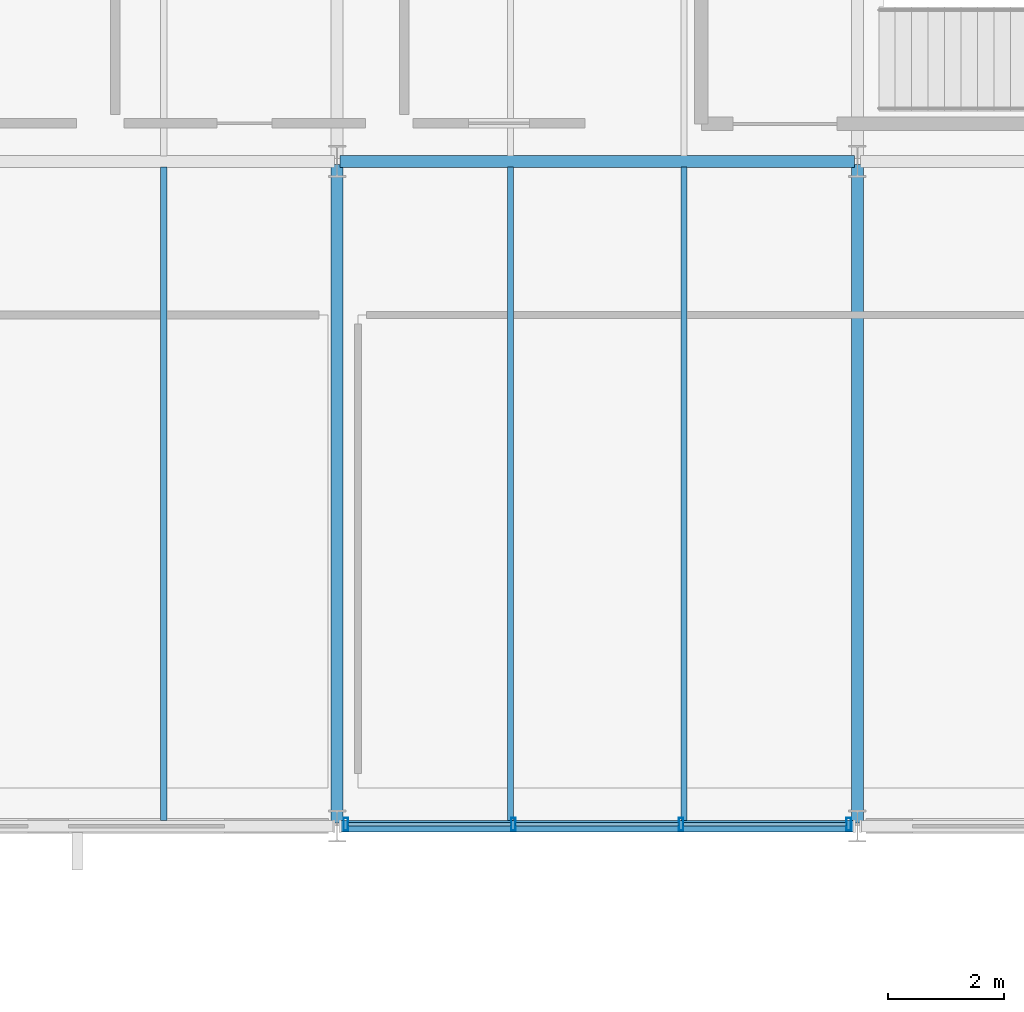
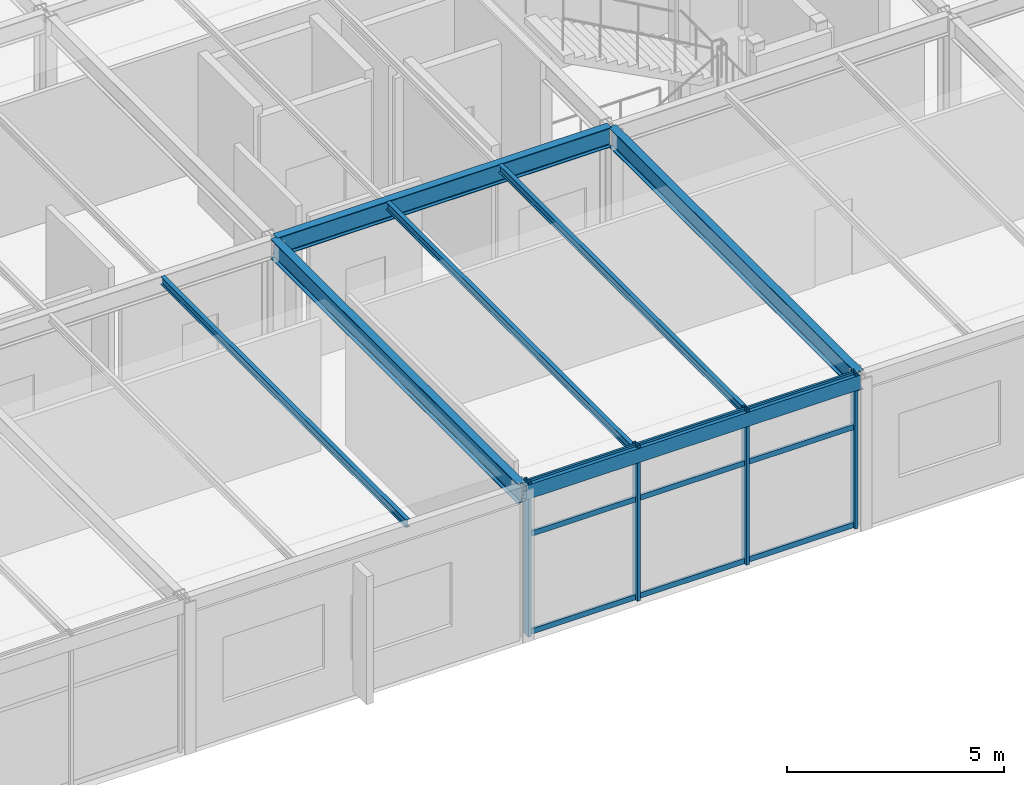
# One storey, part 10 of 44: 13 members, 7 beams, 1 element without a shape of its own.
"""IFC4 building model written with IfcOpenShell, lengths in metres."""

from ifc_helpers import new_model, si_unit, direction, frame, origin, origin_2d, place, context, subcontext, project, spatial, hollow_rectangle, i_section, extrude, material, layer, layer_set, material_profile, profile_set, type_object, element, aggregate, save


model = new_model("IFC4")

# Units and contexts
model_context = context("Model", 3, precision=1e-05, world=origin(), true_north=direction((0.0, 1.0)))
body_context = subcontext(model_context, "Body", "Model", "MODEL_VIEW")
ifc_project = project(units=[si_unit("LENGTHUNIT", "METRE"), si_unit("AREAUNIT", "SQUARE_METRE"), si_unit("VOLUMEUNIT", "CUBIC_METRE"), si_unit("PLANEANGLEUNIT", "RADIAN"), si_unit("MASSUNIT", "GRAM", prefix="KILO")], contexts=[model_context])

# Site, building, storey
site_placement = place(None, origin())
site = spatial("IfcSite", under=ifc_project, at=site_placement, CompositionType="ELEMENT")
building_placement = place(site_placement, origin())
building = spatial("IfcBuilding", under=site, at=building_placement, Name="Marlcrest Central Station", CompositionType="ELEMENT")
storey_placement = place(building_placement, frame((0.0, 0.0, 19.5)))
storey = spatial("IfcBuildingStorey", under=building, at=storey_placement, Name="L04", CompositionType="ELEMENT", Elevation=19.5)

# Beams
ifc_material_1 = material(Name="Steel S355", Category="steel")
ifc_material_profile_1 = material_profile(ifc_material_1, i_section(OverallWidth=0.2099609375, OverallDepth=0.550048828125, WebThickness=0.010986328125, FlangeThickness=0.01708984375, FilletRadius=0.02392578125, at=origin_2d()), Name="IPE 550")
ifc_profile_set_1 = profile_set([ifc_material_profile_1], Name="Steel S355")
beam_type_1 = type_object("IfcBeamType", Name="BM-06", PredefinedType="BEAM", material=ifc_profile_set_1)
beam_1_placement = place(storey_placement, frame((36.050048828125, 110.5, 4.0), z_axis=(1.0, 0.0, 0.0), x_axis=(0.0, 1.0, 0.0)))
element("IfcBeam", 1, at=beam_1_placement, inside=storey, type_object=beam_type_1, Name="bm-BM-06-L04-00586", PredefinedType="BEAM", context=body_context, shape_type="SweptSolid", body=[
    extrude(i_section(OverallWidth=0.2099609375, OverallDepth=0.550048828125, WebThickness=0.010986328125, FlangeThickness=0.01708984375, FilletRadius=0.02392578125, at=origin_2d()), origin(), (0.0, 0.0, 1.0), 8.89990234375),
])
for number, where, z_axis, x_axis, name in (
    (2, (36.0, 99.050048828125, 4.0), (0.0, 1.0, 0.0), (-1.0, 0.0, 0.0), "bm-BM-06-L04-00615"),
    (3, (45.0, 99.050048828125, 4.0), (0.0, 1.0, 0.0), (-1.0, 0.0, 0.0), "bm-BM-06-L04-00618"),
):
    element("IfcBeam", number, at=place(storey_placement, frame(where, z_axis=z_axis, x_axis=x_axis)), inside=storey, type_object=beam_type_1, Name=name, PredefinedType="BEAM", context=body_context, shape_type="SweptSolid", body=[
        extrude(i_section(OverallWidth=0.2099609375, OverallDepth=0.550048828125, WebThickness=0.010986328125, FlangeThickness=0.01708984375, FilletRadius=0.02392578125, at=origin_2d()), origin(), (0.0, 0.0, 1.0), 11.39990234375),
    ])
ifc_material_profile_2 = material_profile(ifc_material_1, i_section(OverallWidth=0.110107421875, OverallDepth=0.219970703125, WebThickness=0.005859375, FlangeThickness=0.00927734375, FilletRadius=0.011962890625, at=origin_2d()), Name="IPE 220")
ifc_profile_set_2 = profile_set([ifc_material_profile_2], Name="Steel S355")
beam_type_2 = type_object("IfcBeamType", Name="JS-02", PredefinedType="JOIST", material=ifc_profile_set_2)
for number, where, z_axis, x_axis, name in (
    (4, (33.0, 99.094970703125, 4.1650390625), (0.0, 1.0, 0.0), (-1.0, 0.0, 0.0), "bm-JS-02-L04-00648"),
    (5, (39.0, 99.094970703125, 4.1650390625), (0.0, 1.0, 0.0), (-1.0, 0.0, 0.0), "bm-JS-02-L04-00651"),
    (6, (42.0, 99.094970703125, 4.1650390625), (0.0, 1.0, 0.0), (-1.0, 0.0, 0.0), "bm-JS-02-L04-00654"),
):
    element("IfcBeam", number, at=place(storey_placement, frame(where, z_axis=z_axis, x_axis=x_axis)), inside=storey, type_object=beam_type_2, Name=name, PredefinedType="JOIST", context=body_context, shape_type="SweptSolid", body=[
        extrude(i_section(OverallWidth=0.110107421875, OverallDepth=0.219970703125, WebThickness=0.005859375, FlangeThickness=0.00927734375, FilletRadius=0.011962890625, at=origin_2d()), origin(), (0.0, 0.0, 1.0), 11.31005859375),
    ])

# Curtain wall, members
ifc_material_2 = material(Name="Anodised aluminium and hurricane laminated glass", Category="aluminium")
ifc_layer = layer(ifc_material_2, 0.219970703125, Name="CW-U1")
ifc_layer_set = layer_set([ifc_layer], Name="Anodised aluminium and hurricane laminated glass")
curtain_wall_type = type_object("IfcCurtainWallType", Name="CW-U1", PredefinedType="USERDEFINED", material=ifc_layer_set)
curtain_wall_placement = place(storey_placement, origin())
curtain_wall = element("IfcCurtainWall", 7, at=curtain_wall_placement, inside=storey, type_object=curtain_wall_type, Name="cw-L04-0169", ObjectType="UNITISED_CURTAIN_WALL", PredefinedType="USERDEFINED")
ifc_material_3 = material(Name="Anodised aluminium 6063-T6", Category="aluminium")
ifc_material_profile_3 = material_profile(ifc_material_3, hollow_rectangle(XDim=0.080078125, YDim=0.219970703125, WallThickness=0.006103515625, at=origin_2d()), Name="AA-RHS 220x80x6")
ifc_profile_set_3 = profile_set([ifc_material_profile_3], Name="Anodised aluminium 6063-T6")
member_type_1 = type_object("IfcMemberType", Name="ML-01", PredefinedType="MULLION", material=ifc_profile_set_3)
member_1_placement = place(storey_placement, frame((44.85009765625, 99.030029296875, -0.030029296875), z_axis=(0.0, 0.0, 1.0), x_axis=(1.0, 0.0, 0.0)))
member_1 = element("IfcMember", 8, at=member_1_placement, type_object=member_type_1, Name="cw-L04-0169-ml-0", PredefinedType="MULLION", context=body_context, shape_type="SweptSolid", body=[
    extrude(hollow_rectangle(XDim=0.080078125, YDim=0.219970703125, WallThickness=0.006103515625, at=origin_2d()), origin(), (0.0, 0.0, 1.0), 4.360107421875),
])
member_2_placement = place(storey_placement, frame((41.949951171875, 99.030029296875, -0.030029296875), z_axis=(0.0, 0.0, 1.0), x_axis=(1.0, 0.0, 0.0)))
member_2 = element("IfcMember", 9, at=member_2_placement, type_object=member_type_1, Name="cw-L04-0169-ml-1", PredefinedType="MULLION", context=body_context, shape_type="SweptSolid", body=[
    extrude(hollow_rectangle(XDim=0.080078125, YDim=0.219970703125, WallThickness=0.006103515625, at=origin_2d()), origin(), (0.0, 0.0, 1.0), 4.360107421875),
])
member_3_placement = place(storey_placement, frame((39.050048828125, 99.030029296875, -0.030029296875), z_axis=(0.0, 0.0, 1.0), x_axis=(1.0, 0.0, 0.0)))
member_3 = element("IfcMember", 10, at=member_3_placement, type_object=member_type_1, Name="cw-L04-0169-ml-2", PredefinedType="MULLION", context=body_context, shape_type="SweptSolid", body=[
    extrude(hollow_rectangle(XDim=0.080078125, YDim=0.219970703125, WallThickness=0.006103515625, at=origin_2d()), origin(), (0.0, 0.0, 1.0), 4.360107421875),
])
member_4_placement = place(storey_placement, frame((36.14990234375, 99.030029296875, -0.030029296875), z_axis=(0.0, 0.0, 1.0), x_axis=(1.0, 0.0, 0.0)))
member_4 = element("IfcMember", 11, at=member_4_placement, type_object=member_type_1, Name="cw-L04-0169-ml-3", PredefinedType="MULLION", context=body_context, shape_type="SweptSolid", body=[
    extrude(hollow_rectangle(XDim=0.080078125, YDim=0.219970703125, WallThickness=0.006103515625, at=origin_2d()), origin(), (0.0, 0.0, 1.0), 4.360107421875),
])

# Beam
ifc_material_profile_4 = material_profile(ifc_material_1, hollow_rectangle(XDim=0.199951171875, YDim=0.39990234375, WallThickness=0.01611328125, at=origin_2d()), Name="RHS 400x200x16")
ifc_profile_set_4 = profile_set([ifc_material_profile_4], Name="Steel S355")
beam_type_3 = type_object("IfcBeamType", Name="SP-01", PredefinedType="SPANDREL", material=ifc_profile_set_4)
beam_2_placement = place(storey_placement, frame((36.050048828125, 99.0, 4.074951171875), z_axis=(1.0, 0.0, 0.0), x_axis=(0.0, 1.0, 0.0)))
element("IfcBeam", 12, at=beam_2_placement, inside=storey, type_object=beam_type_3, Name="bm-SP-01-L04-00579", PredefinedType="SPANDREL", context=body_context, shape_type="SweptSolid", body=[
    extrude(hollow_rectangle(XDim=0.199951171875, YDim=0.39990234375, WallThickness=0.01611328125, at=origin_2d()), origin(), (0.0, 0.0, 1.0), 8.89990234375),
])

# Member
ifc_material_profile_5 = material_profile(ifc_material_3, hollow_rectangle(XDim=0.06005859375, YDim=0.14990234375, WallThickness=0.00390625, at=origin_2d()), Name="AA-RHS 150x60x4")
ifc_profile_set_5 = profile_set([ifc_material_profile_5], Name="Anodised aluminium 6063-T6")
member_type_2 = type_object("IfcMemberType", Name="TR-01", PredefinedType="USERDEFINED", material=ifc_profile_set_5)
member_5_placement = place(storey_placement, frame((44.81201171875, 99.030029296875, 0.0400390625), z_axis=(-1.0, 0.0, 0.0), x_axis=(0.0, -1.0, 0.0)))
member_5 = element("IfcMember", 13, at=member_5_placement, type_object=member_type_2, Name="cw-L04-0169-tr-0-sill", ObjectType="TRANSOM", PredefinedType="USERDEFINED", context=body_context, shape_type="SweptSolid", body=[
    extrude(hollow_rectangle(XDim=0.06005859375, YDim=0.14990234375, WallThickness=0.00390625, at=origin_2d()), origin(), (0.0, 0.0, 1.0), 2.823974609375),
])

member_6_placement = place(storey_placement, frame((44.81201171875, 99.030029296875, 2.794921875), z_axis=(-1.0, 0.0, 0.0), x_axis=(0.0, -1.0, 0.0)))
member_6 = element("IfcMember", 14, at=member_6_placement, type_object=member_type_2, Name="cw-L04-0169-tr-0-mid", ObjectType="TRANSOM", PredefinedType="USERDEFINED", context=body_context, shape_type="SweptSolid", body=[
    extrude(hollow_rectangle(XDim=0.06005859375, YDim=0.14990234375, WallThickness=0.00390625, at=origin_2d()), origin(), (0.0, 0.0, 1.0), 2.823974609375),
])

member_7_placement = place(storey_placement, frame((44.81201171875, 99.030029296875, 4.260009765625), z_axis=(-1.0, 0.0, 0.0), x_axis=(0.0, -1.0, 0.0)))
member_7 = element("IfcMember", 15, at=member_7_placement, type_object=member_type_2, Name="cw-L04-0169-tr-0-head", ObjectType="TRANSOM", PredefinedType="USERDEFINED", context=body_context, shape_type="SweptSolid", body=[
    extrude(hollow_rectangle(XDim=0.06005859375, YDim=0.14990234375, WallThickness=0.00390625, at=origin_2d()), origin(), (0.0, 0.0, 1.0), 2.823974609375),
])

member_8_placement = place(storey_placement, frame((41.912109375, 99.030029296875, 0.0400390625), z_axis=(-1.0, 0.0, 0.0), x_axis=(0.0, -1.0, 0.0)))
member_8 = element("IfcMember", 16, at=member_8_placement, type_object=member_type_2, Name="cw-L04-0169-tr-1-sill", ObjectType="TRANSOM", PredefinedType="USERDEFINED", context=body_context, shape_type="SweptSolid", body=[
    extrude(hollow_rectangle(XDim=0.06005859375, YDim=0.14990234375, WallThickness=0.00390625, at=origin_2d()), origin(), (0.0, 0.0, 1.0), 2.82421875),
])

member_9_placement = place(storey_placement, frame((41.912109375, 99.030029296875, 2.794921875), z_axis=(-1.0, 0.0, 0.0), x_axis=(0.0, -1.0, 0.0)))
member_9 = element("IfcMember", 17, at=member_9_placement, type_object=member_type_2, Name="cw-L04-0169-tr-1-mid", ObjectType="TRANSOM", PredefinedType="USERDEFINED", context=body_context, shape_type="SweptSolid", body=[
    extrude(hollow_rectangle(XDim=0.06005859375, YDim=0.14990234375, WallThickness=0.00390625, at=origin_2d()), origin(), (0.0, 0.0, 1.0), 2.82421875),
])

member_10_placement = place(storey_placement, frame((41.912109375, 99.030029296875, 4.260009765625), z_axis=(-1.0, 0.0, 0.0), x_axis=(0.0, -1.0, 0.0)))
member_10 = element("IfcMember", 18, at=member_10_placement, type_object=member_type_2, Name="cw-L04-0169-tr-1-head", ObjectType="TRANSOM", PredefinedType="USERDEFINED", context=body_context, shape_type="SweptSolid", body=[
    extrude(hollow_rectangle(XDim=0.06005859375, YDim=0.14990234375, WallThickness=0.00390625, at=origin_2d()), origin(), (0.0, 0.0, 1.0), 2.82421875),
])

member_11_placement = place(storey_placement, frame((39.011962890625, 99.030029296875, 0.0400390625), z_axis=(-1.0, 0.0, 0.0), x_axis=(0.0, -1.0, 0.0)))
member_11 = element("IfcMember", 19, at=member_11_placement, type_object=member_type_2, Name="cw-L04-0169-tr-2-sill", ObjectType="TRANSOM", PredefinedType="USERDEFINED", context=body_context, shape_type="SweptSolid", body=[
    extrude(hollow_rectangle(XDim=0.06005859375, YDim=0.14990234375, WallThickness=0.00390625, at=origin_2d()), origin(), (0.0, 0.0, 1.0), 2.823974609375),
])

member_12_placement = place(storey_placement, frame((39.011962890625, 99.030029296875, 2.794921875), z_axis=(-1.0, 0.0, 0.0), x_axis=(0.0, -1.0, 0.0)))
member_12 = element("IfcMember", 20, at=member_12_placement, type_object=member_type_2, Name="cw-L04-0169-tr-2-mid", ObjectType="TRANSOM", PredefinedType="USERDEFINED", context=body_context, shape_type="SweptSolid", body=[
    extrude(hollow_rectangle(XDim=0.06005859375, YDim=0.14990234375, WallThickness=0.00390625, at=origin_2d()), origin(), (0.0, 0.0, 1.0), 2.823974609375),
])

member_13_placement = place(storey_placement, frame((39.011962890625, 99.030029296875, 4.260009765625), z_axis=(-1.0, 0.0, 0.0), x_axis=(0.0, -1.0, 0.0)))
member_13 = element("IfcMember", 21, at=member_13_placement, type_object=member_type_2, Name="cw-L04-0169-tr-2-head", ObjectType="TRANSOM", PredefinedType="USERDEFINED", context=body_context, shape_type="SweptSolid", body=[
    extrude(hollow_rectangle(XDim=0.06005859375, YDim=0.14990234375, WallThickness=0.00390625, at=origin_2d()), origin(), (0.0, 0.0, 1.0), 2.823974609375),
])

aggregate(curtain_wall, [member_1, member_2, member_3, member_4, member_5, member_6, member_7, member_8, member_9, member_10, member_11, member_12, member_13])

save(model, "model.ifc")
